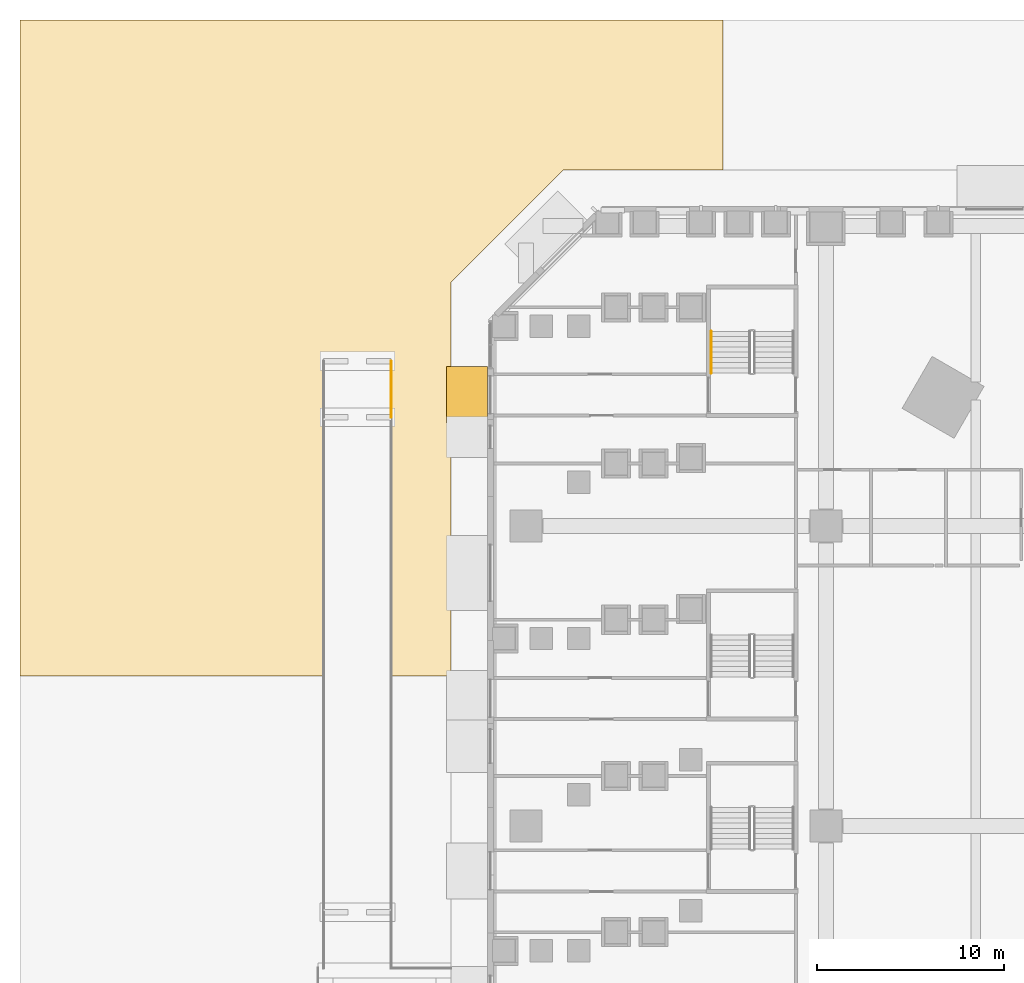
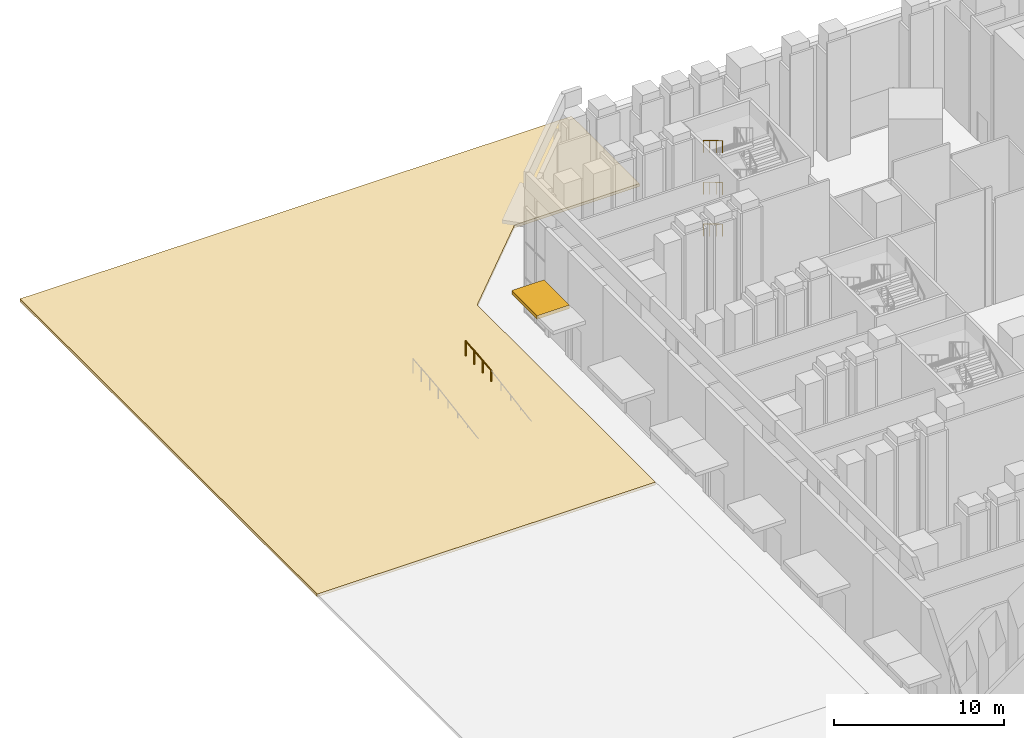
# One storey, part 44 of 51: 4 railings, 1 covering, 1 shading device.
"""IFC4 building model written with IfcOpenShell, lengths in metres."""

import ifcopenshell
import ifcopenshell.guid

model = None  # the IFC model being written
_history = None  # IfcOwnerHistory: only IFC2X3 demands one
_inside = {}  # id of a spatial element -> (the spatial element, [elements in it])
_under = {}  # id of a project, library or spatial element -> (it, [spatial elements below it])
_declared = {}  # id of a project -> (the project, [libraries it declares])
_typed = {}  # id of a type object -> (the type object, [elements of that type])
_made_of = {}  # id of a material, layer set ... -> (it, [elements and type objects made of it])


def new_model(schema):
    """Start an empty IFC model of exactly this schema.

    Asked for "IFC4X3", IfcOpenShell would pick the latest addendum, in which some entities
    have other attributes; the version numbers below select the first issue.
    IFC2X3 requires an IfcOwnerHistory on every rooted entity: one is made here for all.
    """
    global model, _history
    if schema == "IFC4X3":
        model = ifcopenshell.file(schema_version=(4, 3, 0, 0))
    else:
        model = ifcopenshell.file(schema=schema)
    _inside.clear()
    _under.clear()
    _declared.clear()
    _typed.clear()
    _made_of.clear()
    _history = None
    if model.schema == "IFC2X3":
        org = make("IfcOrganization", Name="unknown")
        user = make(
            "IfcPersonAndOrganization",
            ThePerson=make("IfcPerson", FamilyName="unknown"),
            TheOrganization=org,
        )
        app = make(
            "IfcApplication",
            ApplicationDeveloper=org,
            Version="unknown",
            ApplicationFullName="unknown",
            ApplicationIdentifier="unknown",
        )
        _history = make(
            "IfcOwnerHistory",
            OwningUser=user,
            OwningApplication=app,
            ChangeAction="ADDED",
            CreationDate=0,
        )
    return model


def make(cls, **values):
    """One entity of the class cls with the attributes given. An attribute that is None is left unset."""
    return model.create_entity(
        cls, **{name: value for name, value in values.items() if value is not None}
    )


def rooted(cls, **values):
    """An entity with a GlobalId (a new one), such as an element, a storey or a relation."""
    return make(cls, GlobalId=ifcopenshell.guid.new(), OwnerHistory=_history, **values)


def si_unit(unit_type, name, prefix=None):
    """IfcSIUnit, for example si_unit("LENGTHUNIT", "METRE", prefix="MILLI")."""
    return make("IfcSIUnit", UnitType=unit_type, Prefix=prefix, Name=name)


def assignment(units):
    """IfcUnitAssignment: the units of a project."""
    return None if units is None else make("IfcUnitAssignment", Units=units)


def point(xyz):
    """IfcCartesianPoint."""
    return None if xyz is None else make("IfcCartesianPoint", Coordinates=xyz)


def direction(xyz):
    """IfcDirection."""
    return None if xyz is None else make("IfcDirection", DirectionRatios=xyz)


def frame(location, z_axis=None, x_axis=None):
    """IfcAxis2Placement3D, a coordinate frame: its origin and axes. An axis left out is left unset."""
    return make(
        "IfcAxis2Placement3D",
        Location=point(location),
        Axis=direction(z_axis),
        RefDirection=direction(x_axis),
    )


def frame_2d(location, x_axis=None):
    """IfcAxis2Placement2D, a coordinate frame in the plane: its origin and x axis."""
    return make(
        "IfcAxis2Placement2D", Location=point(location), RefDirection=direction(x_axis)
    )


def origin():
    """The frame at (0, 0, 0) with its axes left unset."""
    return frame((0.0, 0.0, 0.0))


def origin_2d():
    """The frame at (0, 0) in the plane with its x axis left unset."""
    return frame_2d((0.0, 0.0))


def place(relative_to, where):
    """IfcLocalPlacement: puts the frame where relative to a parent placement (None: the world)."""
    return make(
        "IfcLocalPlacement", PlacementRelTo=relative_to, RelativePlacement=where
    )


def context(
    kind, dimensions, precision=None, world=None, true_north=None, identifier=None
):
    """IfcGeometricRepresentationContext, for example the 3D "Model" context."""
    return make(
        "IfcGeometricRepresentationContext",
        ContextIdentifier=identifier,
        ContextType=kind,
        CoordinateSpaceDimension=dimensions,
        Precision=precision,
        WorldCoordinateSystem=world,
        TrueNorth=true_north,
    )


def subcontext(parent, identifier, kind, view, scale=None):
    """IfcGeometricRepresentationSubContext, for example "Body" below "Model"."""
    return make(
        "IfcGeometricRepresentationSubContext",
        ContextIdentifier=identifier,
        ContextType=kind,
        ParentContext=parent,
        TargetScale=scale,
        TargetView=view,
    )


def project(units=None, contexts=None):
    """IfcProject with its units and contexts."""
    return rooted(
        "IfcProject",
        Name="project",
        RepresentationContexts=contexts,
        UnitsInContext=assignment(units),
    )


def spatial(cls, under=None, at=None, **own):
    """A site, building, storey or space (cls), placed at a placement, below another one or the project."""
    s = rooted(cls, ObjectPlacement=at, **own)
    if under is not None:
        _under.setdefault(under.id(), (under, []))[1].append(s)
    return s


def polyline(points):
    """IfcPolyline through the points."""
    return make("IfcPolyline", Points=[point(p) for p in points])


def profile(cls, at=None, kind="AREA", **sizes):
    """A parametric profile (cls). Its sizes go by their IFC names, for example OverallWidth=200.0."""
    return make(cls, ProfileType=kind, Position=at, **sizes)


def rectangle(**sizes):
    """IfcRectangleProfileDef."""
    return profile("IfcRectangleProfileDef", **sizes)


def circle(**sizes):
    """IfcCircleProfileDef."""
    return profile("IfcCircleProfileDef", **sizes)


def outline(outer, holes=None, kind="AREA"):
    """IfcArbitraryClosedProfileDef: a profile drawn as a closed curve; with holes, ...WithVoids."""
    if holes is None:
        return make("IfcArbitraryClosedProfileDef", ProfileType=kind, OuterCurve=outer)
    return make(
        "IfcArbitraryProfileDefWithVoids",
        ProfileType=kind,
        OuterCurve=outer,
        InnerCurves=holes,
    )


def extrude(swept, where, along, depth):
    """IfcExtrudedAreaSolid: the profile swept, set in the frame where, extruded along a direction by depth."""
    return make(
        "IfcExtrudedAreaSolid",
        SweptArea=swept,
        Position=where,
        ExtrudedDirection=direction(along),
        Depth=depth,
    )


def shape(context_of_items, identifier, shape_type, items):
    """IfcShapeRepresentation: the items that make up one representation, for example the "Body"."""
    return make(
        "IfcShapeRepresentation",
        ContextOfItems=context_of_items,
        RepresentationIdentifier=identifier,
        RepresentationType=shape_type,
        Items=items,
    )


def material(Name=None, Category=None):
    """IfcMaterial."""
    return make("IfcMaterial", Name=Name, Category=Category)


def layer(
    of_material, thickness, ventilated=None, Name=None, Category=None, Priority=None
):
    """IfcMaterialLayer: one layer of a wall or slab, of a material (None: an air gap)."""
    return make(
        "IfcMaterialLayer",
        Material=of_material,
        LayerThickness=thickness,
        IsVentilated=ventilated,
        Name=Name,
        Category=Category,
        Priority=Priority,
    )


def layer_set(layers, Name=None):
    """IfcMaterialLayerSet."""
    return make("IfcMaterialLayerSet", MaterialLayers=layers, LayerSetName=Name)


def made_of(thing, what):
    """Note that an element or type object is made of a material, layer set ...; save() writes the relation."""
    if what is not None:
        _made_of.setdefault(what.id(), (what, []))[1].append(thing)
    return thing


def type_object(cls, material=None, **own):
    """A type object (cls), such as IfcWallType, which elements share."""
    return made_of(rooted(cls, **own), material)


def element(
    cls,
    number,
    at=None,
    inside=None,
    cuts=None,
    type_object=None,
    material=None,
    context=None,
    identifier="Body",
    shape_type=None,
    held_by="IfcProductDefinitionShape",
    body=None,
    shapes=None,
    **own,
):
    """One element of the class cls, such as IfcWall. Its Tag is "e" and its number.

    at: its placement. inside: the storey or other place that contains it. cuts: it is an
    opening in that element (IfcRelVoidsElement). A single representation is given by context,
    identifier, shape_type and body (its items); several are given by shapes. held_by: the class
    of the entity that holds the representations. save() writes the other relations.
    """
    e = rooted(cls, Tag="e%d" % number, ObjectPlacement=at, **own)
    if body is not None:
        shapes = [shape(context, identifier, shape_type, body)]
    if shapes is not None:
        e.Representation = make(held_by, Representations=shapes)
    if inside is not None:
        _inside.setdefault(inside.id(), (inside, []))[1].append(e)
    if cuts is not None:
        rooted(
            "IfcRelVoidsElement", RelatingBuildingElement=cuts, RelatedOpeningElement=e
        )
    if type_object is not None:
        _typed.setdefault(type_object.id(), (type_object, []))[1].append(e)
    return made_of(e, material)


def aggregate(whole, parts):
    """IfcRelAggregates: a whole, such as a stair, and the parts it consists of."""
    return rooted("IfcRelAggregates", RelatingObject=whole, RelatedObjects=parts)


def save(model, path):
    """Write the relations noted so far, then the file.

    IfcRelAggregates (storeys below a building ...), IfcRelContainedInSpatialStructure (elements
    in a storey), IfcRelDefinesByType, IfcRelAssociatesMaterial and IfcRelDeclares: one each for
    every whole, place, type object, material and project.
    """
    for whole, parts in _under.values():
        aggregate(whole, parts)
    for where, things in _inside.values():
        rooted(
            "IfcRelContainedInSpatialStructure",
            RelatedElements=things,
            RelatingStructure=where,
        )
    for kind, things in _typed.values():
        rooted("IfcRelDefinesByType", RelatedObjects=things, RelatingType=kind)
    for what, things in _made_of.values():
        rooted("IfcRelAssociatesMaterial", RelatedObjects=things, RelatingMaterial=what)
    for by, libraries in _declared.values():
        rooted("IfcRelDeclares", RelatingContext=by, RelatedDefinitions=libraries)
    model.write(path)


model = new_model("IFC4")

# Units and contexts
model_context = context("Model", 3, precision=1e-05, world=origin(), true_north=direction((0.0, 1.0)))
body_context = subcontext(model_context, "Body", "Model", "MODEL_VIEW")
ifc_project = project(units=[si_unit("LENGTHUNIT", "METRE"), si_unit("AREAUNIT", "SQUARE_METRE"), si_unit("VOLUMEUNIT", "CUBIC_METRE"), si_unit("PLANEANGLEUNIT", "RADIAN"), si_unit("MASSUNIT", "GRAM", prefix="KILO")], contexts=[model_context])

# Site, building, storey
site_placement = place(None, origin())
site = spatial("IfcSite", under=ifc_project, at=site_placement, CompositionType="ELEMENT")
building_placement = place(site_placement, origin())
building = spatial("IfcBuilding", under=site, at=building_placement, Name="Calabash Gate Tower", CompositionType="ELEMENT")
storey_placement = place(building_placement, origin())
storey = spatial("IfcBuildingStorey", under=building, at=storey_placement, Name="L00", CompositionType="ELEMENT", Elevation=0.0)

# Shading device
ifc_material_1 = material(Name="Steel framed canopy with laminated glass", Category="steel")
ifc_layer_1 = layer(ifc_material_1, 0.25)
ifc_layer_set_1 = layer_set([ifc_layer_1], Name="Entrance canopy 250")
shading_device_type = type_object("IfcShadingDeviceType", Name="Entrance canopy 250", PredefinedType="AWNING", material=ifc_layer_set_1)
shading_device_placement = place(storey_placement, frame((-51.14990234375, 15.0, 3.60009765625), z_axis=(0.0, 0.0, 1.0), x_axis=(0.0, -1.0, 0.0)))
element("IfcShadingDevice", 1, at=shading_device_placement, inside=storey, type_object=shading_device_type, Name="Entrance canopy 20", PredefinedType="AWNING", context=body_context, shape_type="SweptSolid", body=[
    extrude(rectangle(XDim=3.0, YDim=2.199951171875, at=origin_2d()), origin(), (0.0, 0.0, 1.0), 0.25),
])

# Covering
ifc_material_2 = material(Name="Granite paving on compacted gravel", Category="masonry")
ifc_layer_2 = layer(ifc_material_2, 0.199951171875)
ifc_layer_set_2 = layer_set([ifc_layer_2], Name="Granite paving slab 200")
covering_type = type_object("IfcCoveringType", Name="Granite paving slab 200", PredefinedType="FLOORING", material=ifc_layer_set_2)
covering_placement = place(storey_placement, frame((0.0, 0.0, -0.199951171875)))
element("IfcCovering", 2, at=covering_placement, inside=storey, type_object=covering_type, Name="Plaza paving 3", PredefinedType="FLOORING", context=body_context, shape_type="SweptSolid", body=[
    extrude(outline(polyline([(-75.0, 0.0), (-52.0, 0.0), (-52.0, 21.0), (-46.0, 27.0), (-37.5, 27.0), (-37.5, 35.0), (-75.0, 35.0), (-75.0, 0.0)])), origin(), (0.0, 0.0, 1.0), 0.199951171875),
])

# Railings
ifc_material_3 = material(Name="Galvanised steel balusters", Category="steel")
railing_type_1 = type_object("IfcRailingType", Name="Ramp guard RG1100", PredefinedType="GUARDRAIL", material=ifc_material_3)
railing_placement = place(storey_placement, frame((-55.199951171875, 13.800048828125, -0.300048828125)))
element("IfcRailing", 3, at=railing_placement, inside=storey, type_object=railing_type_1, Name="Exit Ramp guard", PredefinedType="GUARDRAIL", context=body_context, shape_type="SweptSolid", body=[
    extrude(circle(Radius=0.02392578125, at=origin_2d()), frame((0.0, 0.0, 1.076171875), z_axis=(0.0, 0.995035586592, 0.0995197539), x_axis=(-1.0, 0.0, 0.0)), (0.0, 0.0, 1.0), 3.014892578125),
    extrude(circle(Radius=0.02099609375, at=origin_2d()), origin(), (0.0, 0.0, 1.0), 1.052001953125),
    extrude(circle(Radius=0.02099609375, at=origin_2d()), frame((0.0, 1.0, 0.10009765625)), (0.0, 0.0, 1.0), 1.052001953125),
    extrude(circle(Radius=0.02099609375, at=origin_2d()), frame((0.0, 2.0, 0.199951171875)), (0.0, 0.0, 1.0), 1.052001953125),
    extrude(circle(Radius=0.02099609375, at=origin_2d()), frame((0.0, 3.0, 0.300048828125)), (0.0, 0.0, 1.0), 1.052001953125),
])
ifc_material_4 = material(Name="Black powder-coated steel tube 48 mm", Category="steel")
railing_type_2 = type_object("IfcRailingType", Name="Stair handrail RL900", PredefinedType="HANDRAIL", material=ifc_material_4)
for number, where, name in (
    (4, (-38.1201171875, 18.39208984375, 1.666748046875), "L00 PS5 stair handrail 2"),
    (5, (-38.1201171875, 18.39208984375, 4.666748046875), "L00 PS5 stair handrail 4"),
    (6, (-38.1201171875, 18.39208984375, 7.666748046875), "L00 PS5 stair handrail 6"),
):
    element("IfcRailing", number, at=place(storey_placement, frame(where)), inside=storey, type_object=railing_type_2, Name=name, PredefinedType="HANDRAIL", context=body_context, shape_type="SweptSolid", body=[
        extrude(circle(Radius=0.02392578125, at=origin_2d()), frame((0.0, 0.0, 0.8759765625), z_axis=(0.0, -0.8585185817, 0.512782453753), x_axis=(1.0, 0.0, 0.0)), (0.0, 0.0, 1.0), 2.60009765625),
        extrude(circle(Radius=0.02099609375, at=origin_2d()), origin(), (0.0, 0.0, 1.0), 0.851806640625),
        extrude(circle(Radius=0.02099609375, at=origin_2d()), frame((0.0, -0.744140625, 0.4443359375)), (0.0, 0.0, 1.0), 0.851806640625),
        extrude(circle(Radius=0.02099609375, at=origin_2d()), frame((0.0, -1.488037109375, 0.888916015625)), (0.0, 0.0, 1.0), 0.851806640625),
        extrude(circle(Radius=0.02099609375, at=origin_2d()), frame((0.0, -2.232177734375, 1.333251953125)), (0.0, 0.0, 1.0), 0.851806640625),
    ])

save(model, "model.ifc")
